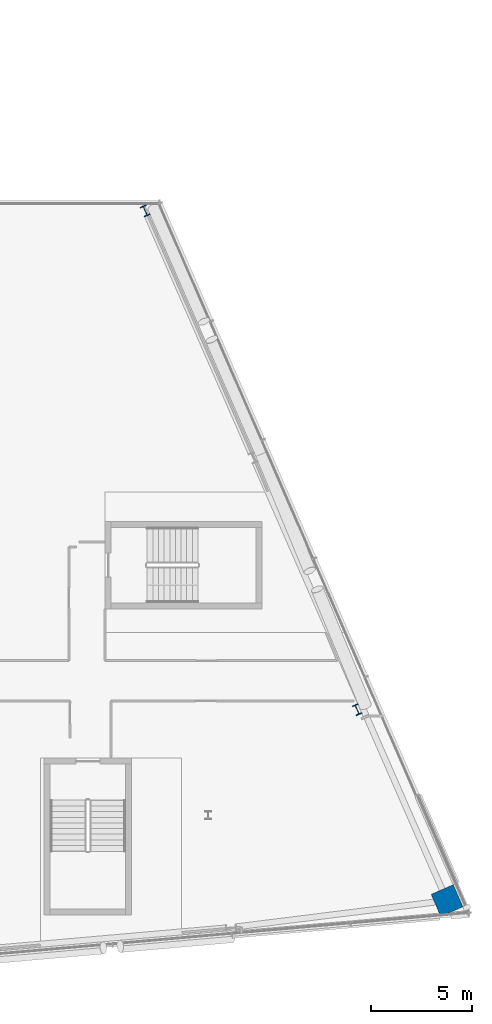
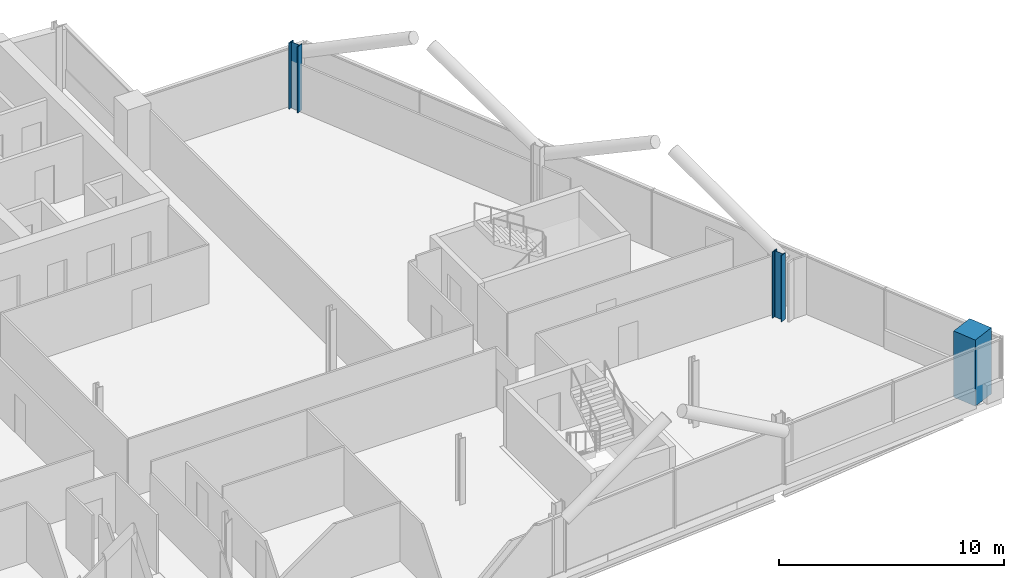
# One storey, part 4 of 26: 3 columns.
"""IFC4 building model written with IfcOpenShell, lengths in metres."""

from ifc_helpers import new_model, si_unit, direction, frame, origin, origin_2d, place, context, subcontext, project, spatial, rectangle, i_section, extrude, material, material_profile, profile_set, type_object, element, save


model = new_model("IFC4")

# Units and contexts
model_context = context("Model", 3, precision=1e-05, world=origin(), true_north=direction((0.0, 1.0)))
body_context = subcontext(model_context, "Body", "Model", "MODEL_VIEW")
ifc_project = project(units=[si_unit("LENGTHUNIT", "METRE"), si_unit("AREAUNIT", "SQUARE_METRE"), si_unit("VOLUMEUNIT", "CUBIC_METRE"), si_unit("PLANEANGLEUNIT", "RADIAN"), si_unit("MASSUNIT", "GRAM", prefix="KILO")], contexts=[model_context])

# Site, building, storey
site_placement = place(None, origin())
site = spatial("IfcSite", under=ifc_project, at=site_placement, CompositionType="ELEMENT")
building_placement = place(site_placement, origin())
building = spatial("IfcBuilding", under=site, at=building_placement, Name="Wharfspan Tower", CompositionType="ELEMENT")
storey_placement = place(building_placement, frame((0.0, 0.0, 217.899902)))
storey = spatial("IfcBuildingStorey", under=building, at=storey_placement, Name="L54", CompositionType="ELEMENT", Elevation=217.899902)

# Columns
ifc_material_1 = material(Name="Steel S355J2", Category="steel")
ifc_material_profile_1 = material_profile(ifc_material_1, i_section(OverallWidth=0.305908, OverallDepth=0.523926, WebThickness=0.020996, FlangeThickness=0.040039, FilletRadius=0.0271, at=origin_2d()))
ifc_profile_set_1 = profile_set([ifc_material_profile_1], Name="Steel S355J2")
column_type_1 = type_object("IfcColumnType", Name="Column HEM 500", PredefinedType="COLUMN", material=ifc_profile_set_1)
for number, where, z_axis, x_axis, name in (
    (1, (79.409668, 16.761719, 0.0), (0.0, 0.0, 1.0), (0.917072, 0.398727, 0.0), "Perimeter column PE.1 L54"),
    (2, (68.867188, 41.572266, 0.0), (0.0, 0.0, 1.0), (0.917072, 0.398727, 0.0), "Perimeter column PE.3 L54"),
):
    element("IfcColumn", number, at=place(storey_placement, frame(where, z_axis=z_axis, x_axis=x_axis)), inside=storey, type_object=column_type_1, Name=name, PredefinedType="COLUMN", context=body_context, shape_type="SweptSolid", body=[
        extrude(i_section(OverallWidth=0.305908, OverallDepth=0.523926, WebThickness=0.020996, FlangeThickness=0.040039, FilletRadius=0.0271, at=origin_2d()), origin(), (0.0, 0.0, 1.0), 3.600098),
    ])
ifc_material_2 = material(Name="Concrete C50/60", Category="concrete")
ifc_material_profile_2 = material_profile(ifc_material_2, rectangle(XDim=1.199951, YDim=1.199951, at=origin_2d()))
ifc_profile_set_2 = profile_set([ifc_material_profile_2], Name="Concrete C50/60")
column_type_2 = type_object("IfcColumnType", Name="Mega column 1200 C50/60", PredefinedType="COLUMN", material=ifc_profile_set_2)
column_placement = place(storey_placement, frame((83.882812, 7.264648, 0.0), z_axis=(0.0, 0.0, 1.0), x_axis=(-0.398727, 0.917072, 0.0)))
element("IfcColumn", 3, at=column_placement, inside=storey, type_object=column_type_2, Name="Mega column MC4 L54", PredefinedType="COLUMN", context=body_context, shape_type="SweptSolid", body=[
    extrude(rectangle(XDim=1.199951, YDim=1.199951, at=origin_2d()), origin(), (0.0, 0.0, 1.0), 3.600098),
])

save(model, "model.ifc")
